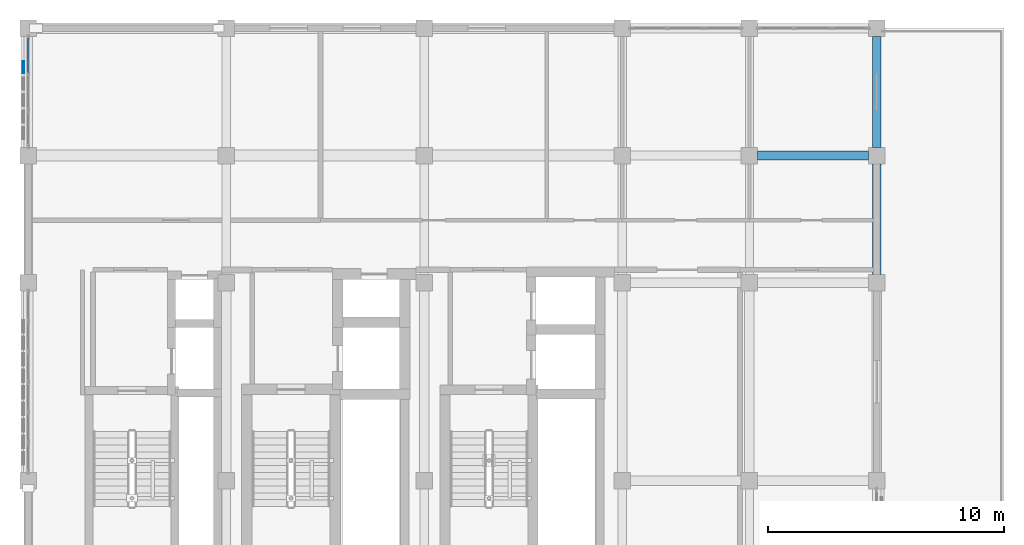
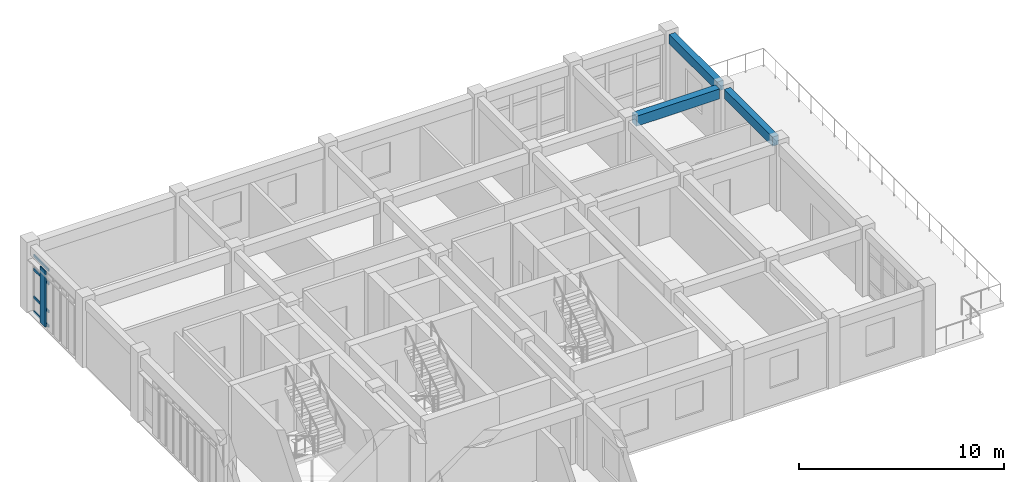
# One storey, part 13 of 23: 5 members, 3 beams, 1 element without a shape of its own.
"""IFC4 building model written with IfcOpenShell, lengths in metres."""

from ifc_helpers import new_model, si_unit, direction, frame, origin, origin_2d, place, context, subcontext, project, spatial, rectangle, hollow_rectangle, extrude, material, layer, layer_set, material_profile, profile_set, type_object, element, aggregate, save


model = new_model("IFC4")

# Units and contexts
model_context = context("Model", 3, precision=1e-05, world=origin(), true_north=direction((0.0, 1.0)))
body_context = subcontext(model_context, "Body", "Model", "MODEL_VIEW")
ifc_project = project(units=[si_unit("LENGTHUNIT", "METRE"), si_unit("AREAUNIT", "SQUARE_METRE"), si_unit("VOLUMEUNIT", "CUBIC_METRE"), si_unit("PLANEANGLEUNIT", "RADIAN"), si_unit("MASSUNIT", "GRAM", prefix="KILO")], contexts=[model_context])

# Site, building, storey
site_placement = place(None, origin())
site = spatial("IfcSite", under=ifc_project, at=site_placement, CompositionType="ELEMENT")
building_placement = place(site_placement, origin())
building = spatial("IfcBuilding", under=site, at=building_placement, Name="Krzemoval Escarpment Law Courts", CompositionType="ELEMENT")
storey_placement = place(building_placement, frame((0.0, 0.0, 33.60009765625)))
storey = spatial("IfcBuildingStorey", under=building, at=storey_placement, Name="L07", CompositionType="ELEMENT", Elevation=33.60009765625)

# Beams
ifc_material_1 = material(Name="Concrete C40/50", Category="concrete")
ifc_material_profile_1 = material_profile(ifc_material_1, rectangle(XDim=0.35009765625, YDim=0.550048828125, at=origin_2d()), Name="RCB 350x550")
ifc_profile_set_1 = profile_set([ifc_material_profile_1], Name="Concrete C40/50")
beam_type_1 = type_object("IfcBeamType", Name="BM-RC-350x550", PredefinedType="BEAM", material=ifc_profile_set_1)
for number, where, z_axis, x_axis, name in (
    (1, (162.0, 108.35009765625, 3.6748046875), (0.0, 1.0, 0.0), (-1.0, 0.0, 0.0), "Beam FG-L07-2739"),
    (2, (162.0, 113.75, 3.6748046875), (0.0, 1.0, 0.0), (-1.0, 0.0, 0.0), "Beam FG-L07-2740"),
):
    element("IfcBeam", number, at=place(storey_placement, frame(where, z_axis=z_axis, x_axis=x_axis)), inside=storey, type_object=beam_type_1, Name=name, PredefinedType="BEAM", context=body_context, shape_type="SweptSolid", body=[
        extrude(rectangle(XDim=0.35009765625, YDim=0.550048828125, at=origin_2d()), origin(), (0.0, 0.0, 1.0), 4.699951171875),
    ])
ifc_material_2 = material(Name="Concrete C40/50", Category="concrete")
ifc_material_profile_2 = material_profile(ifc_material_2, rectangle(XDim=0.39990234375, YDim=0.60009765625, at=origin_2d()), Name="RCB 400x600")
ifc_profile_set_2 = profile_set([ifc_material_profile_2], Name="Concrete C40/50")
beam_type_2 = type_object("IfcBeamType", Name="BM-RC-400x600", PredefinedType="BEAM", material=ifc_profile_set_2)
beam_placement = place(storey_placement, frame((156.949951171875, 113.39990234375, 3.64990234375), z_axis=(1.0, 0.0, 0.0), x_axis=(0.0, 1.0, 0.0)))
element("IfcBeam", 3, at=beam_placement, inside=storey, type_object=beam_type_2, Name="Beam FG-L07-2708", PredefinedType="BEAM", context=body_context, shape_type="SweptSolid", body=[
    extrude(rectangle(XDim=0.39990234375, YDim=0.60009765625, at=origin_2d()), origin(), (0.0, 0.0, 1.0), 4.699951171875),
])

# Curtain wall, members
ifc_material_3 = material(Name="Aluminium 6063-T6", Category="aluminium")
ifc_layer = layer(ifc_material_3, 0.219970703125)
ifc_layer_set = layer_set([ifc_layer], Name="Aluminium 6063-T6")
curtain_wall_type = type_object("IfcCurtainWallType", Name="CW-CHMB-4200", PredefinedType="USERDEFINED", material=ifc_layer_set)
curtain_wall_placement = place(storey_placement, origin())
curtain_wall = element("IfcCurtainWall", 4, at=curtain_wall_placement, inside=storey, type_object=curtain_wall_type, Name="Unitised Curtain Wall FCW-L07-157", ObjectType="UNITISED_CURTAIN_WALL", PredefinedType="USERDEFINED")
ifc_material_4 = material(Name="Aluminium 6063-T6", Category="aluminium")
ifc_material_profile_3 = material_profile(ifc_material_4, hollow_rectangle(XDim=0.06494140625, YDim=0.14990234375, WallThickness=0.00439453125, at=origin_2d()), Name="ALU T65x150")
ifc_profile_set_3 = profile_set([ifc_material_profile_3], Name="Aluminium 6063-T6")
member_type_1 = type_object("IfcMemberType", Name="CWT-65x150", PredefinedType="USERDEFINED", material=ifc_profile_set_3)
member_1_placement = place(storey_placement, frame((126.0, 116.915771484375, 0.032470703125), z_axis=(0.0, 1.0, 0.0), x_axis=(-1.0, 0.0, 0.0)))
member_1 = element("IfcMember", 5, at=member_1_placement, type_object=member_type_1, Name="FCW-L07-157 transom 3.1", ObjectType="TRANSOM", PredefinedType="USERDEFINED", context=body_context, shape_type="SweptSolid", body=[
    extrude(hollow_rectangle(XDim=0.06494140625, YDim=0.14990234375, WallThickness=0.00439453125, at=origin_2d()), origin(), (0.0, 0.0, 1.0), 1.46923828125),
])
member_2_placement = place(storey_placement, frame((126.0, 116.915771484375, 0.89990234375), z_axis=(0.0, 1.0, 0.0), x_axis=(-1.0, 0.0, 0.0)))
member_2 = element("IfcMember", 6, at=member_2_placement, type_object=member_type_1, Name="FCW-L07-157 transom 3.2", ObjectType="TRANSOM", PredefinedType="USERDEFINED", context=body_context, shape_type="SweptSolid", body=[
    extrude(hollow_rectangle(XDim=0.06494140625, YDim=0.14990234375, WallThickness=0.00439453125, at=origin_2d()), origin(), (0.0, 0.0, 1.0), 1.46923828125),
])
member_3_placement = place(storey_placement, frame((126.0, 116.915771484375, 2.5498046875), z_axis=(0.0, 1.0, 0.0), x_axis=(-1.0, 0.0, 0.0)))
member_3 = element("IfcMember", 7, at=member_3_placement, type_object=member_type_1, Name="FCW-L07-157 transom 3.3", ObjectType="TRANSOM", PredefinedType="USERDEFINED", context=body_context, shape_type="SweptSolid", body=[
    extrude(hollow_rectangle(XDim=0.06494140625, YDim=0.14990234375, WallThickness=0.00439453125, at=origin_2d()), origin(), (0.0, 0.0, 1.0), 1.46923828125),
])
member_4_placement = place(storey_placement, frame((126.0, 116.915771484375, 3.367431640625), z_axis=(0.0, 1.0, 0.0), x_axis=(-1.0, 0.0, 0.0)))
member_4 = element("IfcMember", 8, at=member_4_placement, type_object=member_type_1, Name="FCW-L07-157 transom 3.4", ObjectType="TRANSOM", PredefinedType="USERDEFINED", context=body_context, shape_type="SweptSolid", body=[
    extrude(hollow_rectangle(XDim=0.06494140625, YDim=0.14990234375, WallThickness=0.00439453125, at=origin_2d()), origin(), (0.0, 0.0, 1.0), 1.46923828125),
])
aggregate(curtain_wall, [member_1, member_2, member_3, member_4])

# Member
ifc_material_5 = material(Name="Anodised Aluminium Alloy 6063-T6", Category="aluminium")
ifc_material_profile_4 = material_profile(ifc_material_5, hollow_rectangle(XDim=0.06494140625, YDim=0.52001953125, WallThickness=0.00439453125, at=origin_2d()), Name="ALU LVR 65x520")
ifc_profile_set_4 = profile_set([ifc_material_profile_4], Name="Anodised Aluminium Alloy 6063-T6")
member_type_2 = type_object("IfcMemberType", Name="LVR-ALU-520", PredefinedType="USERDEFINED", material=ifc_profile_set_4)
member_5_placement = place(storey_placement, frame((125.800048828125, 117.14990234375, 0.059814453125), z_axis=(0.0, 0.0, 1.0), x_axis=(1.0, 0.0, 0.0)))
element("IfcMember", 9, at=member_5_placement, inside=storey, type_object=member_type_2, Name="Sunshade Louvre Fin FLV-L07-1047", ObjectType="SUNSHADE_LOUVRE", PredefinedType="USERDEFINED", context=body_context, shape_type="SweptSolid", body=[
    extrude(hollow_rectangle(XDim=0.06494140625, YDim=0.52001953125, WallThickness=0.00439453125, at=origin_2d()), origin(), (0.0, 0.0, 1.0), 3.340087890625),
])

save(model, "model.ifc")
